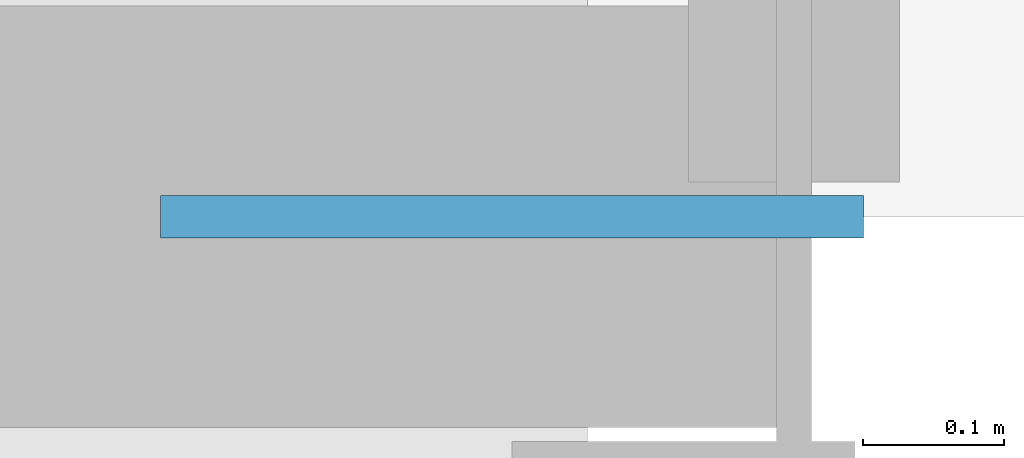
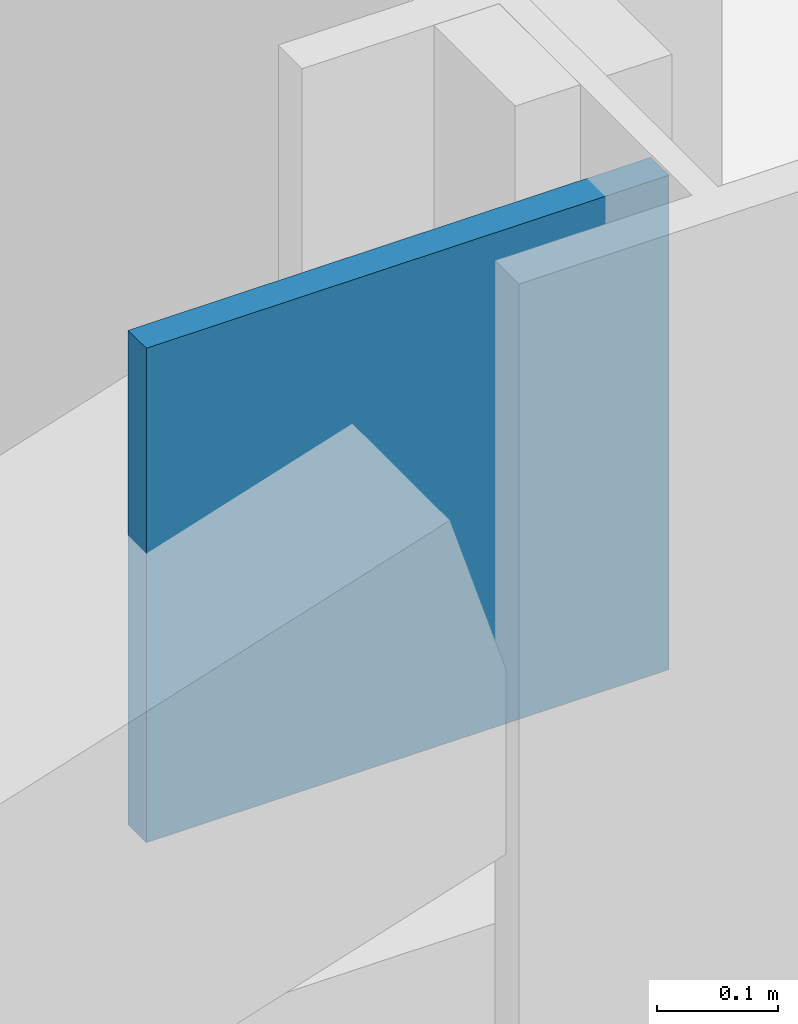
# One storey, part 21 of 30: 1 discrete accessory.
"""IFC4 building model written with IfcOpenShell, lengths in metres."""

from ifc_helpers import new_model, si_unit, direction, frame, origin, origin_2d, place, context, subcontext, project, spatial, rectangle, extrude, material, layer, layer_set, type_object, element, save


model = new_model("IFC4")

# Units and contexts
model_context = context("Model", 3, precision=1e-05, world=origin(), true_north=direction((0.0, 1.0)))
body_context = subcontext(model_context, "Body", "Model", "MODEL_VIEW")
ifc_project = project(units=[si_unit("LENGTHUNIT", "METRE"), si_unit("AREAUNIT", "SQUARE_METRE"), si_unit("VOLUMEUNIT", "CUBIC_METRE"), si_unit("PLANEANGLEUNIT", "RADIAN"), si_unit("MASSUNIT", "GRAM", prefix="KILO")], contexts=[model_context])

# Site, building, storey
site_placement = place(None, origin())
site = spatial("IfcSite", under=ifc_project, at=site_placement, CompositionType="ELEMENT")
building_placement = place(site_placement, origin())
building = spatial("IfcBuilding", under=site, at=building_placement, Name="Mahtab Terrace Research Tower", CompositionType="ELEMENT")
storey_placement = place(building_placement, frame((0.0, 0.0, 201.5)))
storey = spatial("IfcBuildingStorey", under=building, at=storey_placement, Name="L48", CompositionType="ELEMENT", Elevation=201.5)

# Discrete accessory
ifc_material = material(Name="Steel ASTM A992 Gr 50", Category="steel")
ifc_layer = layer(ifc_material, 0.030029296875)
ifc_layer_set = layer_set([ifc_layer], Name="Gusset plate 500x500x30")
discrete_accessory_type = type_object("IfcDiscreteAccessoryType", Name="Gusset plate 500x500x30", PredefinedType="USERDEFINED", material=ifc_layer_set)
discrete_accessory_placement = place(storey_placement, frame((17.79931640625, -23.0, 2.870849609375), z_axis=(0.0, 0.0, 1.0), x_axis=(1.0, 0.0, 0.0)))
element("IfcDiscreteAccessory", 1, at=discrete_accessory_placement, inside=storey, type_object=discrete_accessory_type, Name="Gusset plate", ObjectType="GUSSET PLATE", PredefinedType="USERDEFINED", context=body_context, shape_type="SweptSolid", body=[
    extrude(rectangle(XDim=0.5, YDim=0.030029296875, at=origin_2d()), origin(), (0.0, 0.0, 1.0), 0.5),
])

save(model, "model.ifc")
